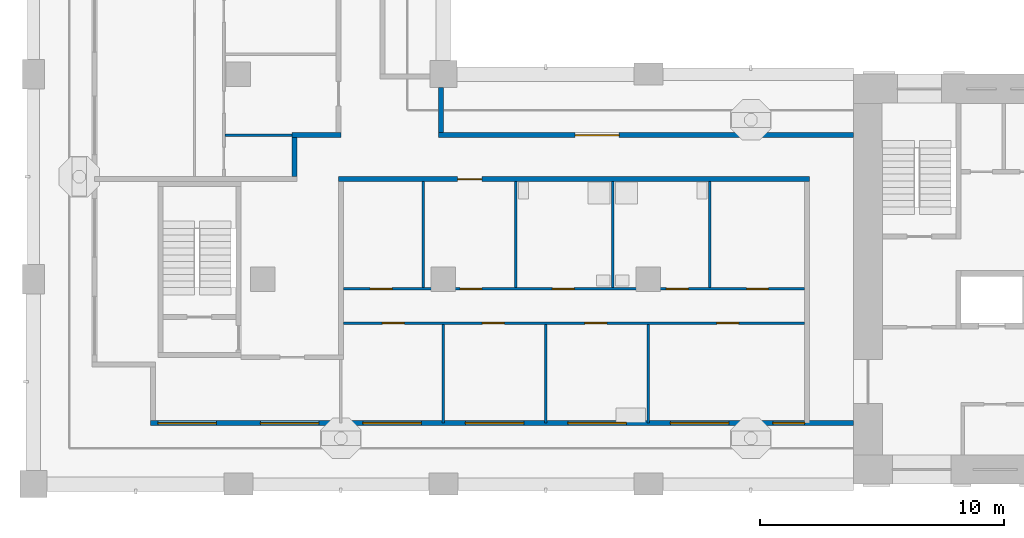
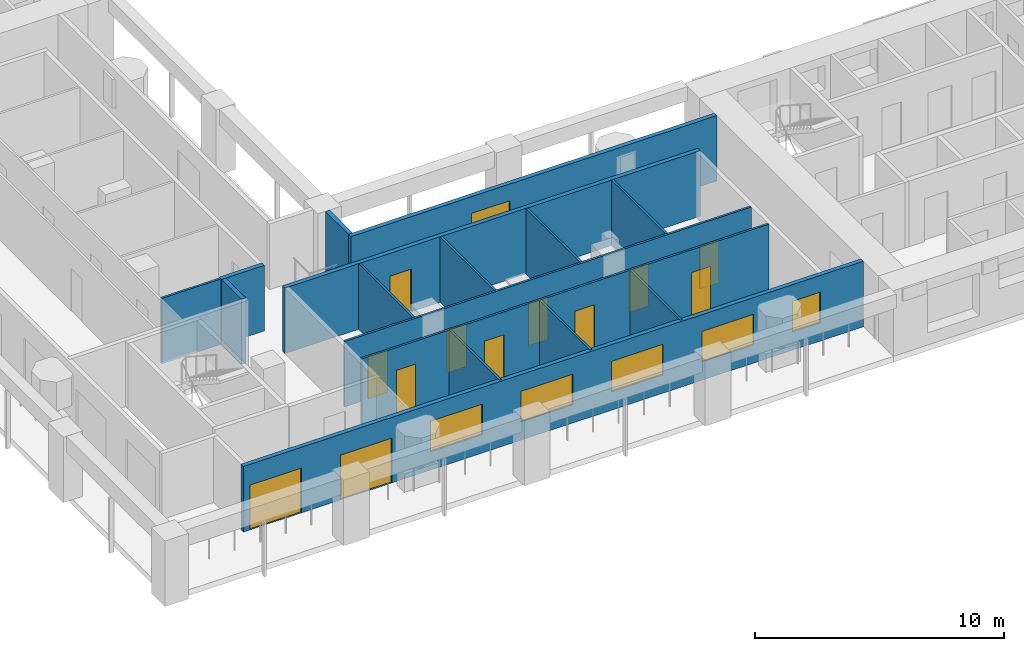
# One storey, part 2 of 13: 16 walls, 13 doors, 5 windows, 18 openings.
"""IFC4 building model written with IfcOpenShell, lengths in metres."""

from ifc_helpers import new_model, si_unit, direction, frame, frame_2d, origin, place, context, subcontext, project, spatial, rectangle, extrude, material, layer, layer_set, type_object, element, fill, save


model = new_model("IFC4")

# Units and contexts
model_context = context("Model", 3, precision=1e-05, world=origin(), true_north=direction((0.0, 1.0)))
body_context = subcontext(model_context, "Body", "Model", "MODEL_VIEW")
ifc_project = project(units=[si_unit("LENGTHUNIT", "METRE"), si_unit("AREAUNIT", "SQUARE_METRE"), si_unit("VOLUMEUNIT", "CUBIC_METRE"), si_unit("PLANEANGLEUNIT", "RADIAN"), si_unit("MASSUNIT", "GRAM", prefix="KILO")], contexts=[model_context])

# Site, building, storey
site_placement = place(None, origin())
site = spatial("IfcSite", under=ifc_project, at=site_placement, CompositionType="ELEMENT")
building_placement = place(site_placement, origin())
building = spatial("IfcBuilding", under=site, at=building_placement, Name="Vermilion Gate Residences", CompositionType="ELEMENT")
storey_placement = place(building_placement, frame((0.0, 0.0, 193.199951171875)))
storey = spatial("IfcBuildingStorey", under=building, at=storey_placement, Name="L50", CompositionType="ELEMENT", Elevation=193.199951171875)

# Wall, openings, doors, windows
ifc_material_1 = material(Name="Insulated steel stud wall with terracotta rainscreen", Category="masonry")
ifc_layer_1 = layer(ifc_material_1, 0.199951171875)
ifc_layer_set_1 = layer_set([ifc_layer_1], Name="EXTERNAL WALL 200 TERRACOTTA RAINSCREEN")
wall_type_1 = type_object("IfcWallType", Name="EXTERNAL WALL 200 TERRACOTTA RAINSCREEN", PredefinedType="SOLIDWALL", material=ifc_layer_set_1)
wall_1_placement = place(storey_placement, frame((13.199951171875, 10.89990234375, 0.0), z_axis=(0.0, 0.0, 1.0), x_axis=(1.0, 0.0, 0.0)))
wall_1 = element("IfcWall", 1, at=wall_1_placement, inside=storey, type_object=wall_type_1, Name="External wall", PredefinedType="SOLIDWALL", context=body_context, shape_type="SweptSolid", body=[
    extrude(rectangle(XDim=28.800048828125, YDim=0.199951171875, at=frame_2d((14.39990234375, 0.0))), origin(), (0.0, 0.0, 1.0), 3.219970703125),
])
opening_1_placement = place(wall_1_placement, frame((0.300048828125, 0.0, 0.0)))
opening_1 = element("IfcOpeningElement", 2, at=opening_1_placement, cuts=wall_1, Name="Opening DE50008", PredefinedType="OPENING", context=body_context, shape_type="SweptSolid", body=[
    extrude(rectangle(XDim=2.39990234375, YDim=2.199951171875, at=frame_2d((1.199951171875, 1.10009765625))), frame((0.0, 0.10986328125, 0.0), z_axis=(0.0, -1.0, 0.0), x_axis=(1.0, 0.0, 0.0)), (0.0, 0.0, 1.0), 0.219970703125),
])
opening_2_placement = place(wall_1_placement, frame((4.5, 0.0, 0.0)))
opening_2 = element("IfcOpeningElement", 3, at=opening_2_placement, cuts=wall_1, Name="Opening DE50009", PredefinedType="OPENING", context=body_context, shape_type="SweptSolid", body=[
    extrude(rectangle(XDim=2.39990234375, YDim=2.199951171875, at=frame_2d((1.199951171875, 1.10009765625))), frame((0.0, 0.10986328125, 0.0), z_axis=(0.0, -1.0, 0.0), x_axis=(1.0, 0.0, 0.0)), (0.0, 0.0, 1.0), 0.219970703125),
])
opening_3_placement = place(wall_1_placement, frame((8.699951171875, 0.0, 0.89990234375)))
opening_3 = element("IfcOpeningElement", 4, at=opening_3_placement, cuts=wall_1, Name="Opening WE50010", PredefinedType="OPENING", context=body_context, shape_type="SweptSolid", body=[
    extrude(rectangle(XDim=2.39990234375, YDim=1.5, at=frame_2d((1.199951171875, 0.75))), frame((0.0, 0.10986328125, 0.0), z_axis=(0.0, -1.0, 0.0), x_axis=(1.0, 0.0, 0.0)), (0.0, 0.0, 1.0), 0.219970703125),
])
opening_4_placement = place(wall_1_placement, frame((12.89990234375, 0.0, 0.89990234375)))
opening_4 = element("IfcOpeningElement", 5, at=opening_4_placement, cuts=wall_1, Name="Opening WE50011", PredefinedType="OPENING", context=body_context, shape_type="SweptSolid", body=[
    extrude(rectangle(XDim=2.39990234375, YDim=1.5, at=frame_2d((1.199951171875, 0.75))), frame((0.0, 0.10986328125, 0.0), z_axis=(0.0, -1.0, 0.0), x_axis=(1.0, 0.0, 0.0)), (0.0, 0.0, 1.0), 0.219970703125),
])
opening_5_placement = place(wall_1_placement, frame((17.10009765625, 0.0, 0.89990234375)))
opening_5 = element("IfcOpeningElement", 6, at=opening_5_placement, cuts=wall_1, Name="Opening WE50012", PredefinedType="OPENING", context=body_context, shape_type="SweptSolid", body=[
    extrude(rectangle(XDim=2.39990234375, YDim=1.5, at=frame_2d((1.199951171875, 0.75))), frame((0.0, 0.10986328125, 0.0), z_axis=(0.0, -1.0, 0.0), x_axis=(1.0, 0.0, 0.0)), (0.0, 0.0, 1.0), 0.219970703125),
])
opening_6_placement = place(wall_1_placement, frame((21.300048828125, 0.0, 0.89990234375)))
opening_6 = element("IfcOpeningElement", 7, at=opening_6_placement, cuts=wall_1, Name="Opening WE50013", PredefinedType="OPENING", context=body_context, shape_type="SweptSolid", body=[
    extrude(rectangle(XDim=2.39990234375, YDim=1.5, at=frame_2d((1.199951171875, 0.75))), frame((0.0, 0.10986328125, 0.0), z_axis=(0.0, -1.0, 0.0), x_axis=(1.0, 0.0, 0.0)), (0.0, 0.0, 1.0), 0.219970703125),
])
opening_7_placement = place(wall_1_placement, frame((25.5, 0.0, 0.89990234375)))
opening_7 = element("IfcOpeningElement", 8, at=opening_7_placement, cuts=wall_1, Name="Opening WE50014", PredefinedType="OPENING", context=body_context, shape_type="SweptSolid", body=[
    extrude(rectangle(XDim=1.300048828125, YDim=1.5, at=frame_2d((0.64990234375, 0.75))), frame((0.0, 0.10986328125, 0.0), z_axis=(0.0, -1.0, 0.0), x_axis=(1.0, 0.0, 0.0)), (0.0, 0.0, 1.0), 0.219970703125),
])
ifc_material_2 = material(Name="Aluminium and clear glass", Category="aluminium")
door_type_1 = type_object("IfcDoorType", Name="SLIDING GLAZED DOOR 2400 X 2200", OperationType="DOUBLE_DOOR_SLIDING", PredefinedType="DOOR", material=ifc_material_2)
door_1_placement = place(opening_1_placement, origin())
door_1 = element("IfcDoor", 9, at=door_1_placement, inside=storey, type_object=door_type_1, Name="Loggia sliding door", OperationType="DOUBLE_DOOR_SLIDING", OverallHeight=2.199951171875, OverallWidth=2.39990234375, PredefinedType="DOOR", context=body_context, shape_type="SweptSolid", body=[
    extrude(rectangle(XDim=2.39990234375, YDim=2.199951171875, at=frame_2d((1.199951171875, 1.10009765625))), frame((0.0, 0.02490234375, 0.0), z_axis=(0.0, -1.0, 0.0), x_axis=(1.0, 0.0, 0.0)), (0.0, 0.0, 1.0), 0.050048828125),
])
fill(opening_1, door_1)
door_2_placement = place(opening_2_placement, origin())
door_2 = element("IfcDoor", 10, at=door_2_placement, inside=storey, type_object=door_type_1, Name="Loggia sliding door", OperationType="DOUBLE_DOOR_SLIDING", OverallHeight=2.199951171875, OverallWidth=2.39990234375, PredefinedType="DOOR", context=body_context, shape_type="SweptSolid", body=[
    extrude(rectangle(XDim=2.39990234375, YDim=2.199951171875, at=frame_2d((1.199951171875, 1.10009765625))), frame((0.0, 0.02490234375, 0.0), z_axis=(0.0, -1.0, 0.0), x_axis=(1.0, 0.0, 0.0)), (0.0, 0.0, 1.0), 0.050048828125),
])
fill(opening_2, door_2)
ifc_material_3 = material(Name="Aluminium and clear glass", Category="aluminium")
window_type_1 = type_object("IfcWindowType", Name="WINDOW 1300 X 1500", PartitioningType="SINGLE_PANEL", PredefinedType="WINDOW", material=ifc_material_3)
window_1_placement = place(opening_7_placement, origin())
window_1 = element("IfcWindow", 11, at=window_1_placement, inside=storey, type_object=window_type_1, Name="Window", OverallHeight=1.5, OverallWidth=1.300048828125, PartitioningType="SINGLE_PANEL", PredefinedType="WINDOW", context=body_context, shape_type="SweptSolid", body=[
    extrude(rectangle(XDim=1.300048828125, YDim=1.5, at=frame_2d((0.64990234375, 0.75))), frame((0.0, 0.030029296875, 0.0), z_axis=(0.0, -1.0, 0.0), x_axis=(1.0, 0.0, 0.0)), (0.0, 0.0, 1.0), 0.06005859375),
])
fill(opening_7, window_1)
ifc_material_4 = material(Name="Aluminium and clear glass", Category="aluminium")
window_type_2 = type_object("IfcWindowType", Name="WINDOW 2400 X 1500", PartitioningType="SINGLE_PANEL", PredefinedType="WINDOW", material=ifc_material_4)
window_2_placement = place(opening_3_placement, origin())
window_2 = element("IfcWindow", 12, at=window_2_placement, inside=storey, type_object=window_type_2, Name="Window", OverallHeight=1.5, OverallWidth=2.39990234375, PartitioningType="SINGLE_PANEL", PredefinedType="WINDOW", context=body_context, shape_type="SweptSolid", body=[
    extrude(rectangle(XDim=2.39990234375, YDim=1.5, at=frame_2d((1.199951171875, 0.75))), frame((0.0, 0.030029296875, 0.0), z_axis=(0.0, -1.0, 0.0), x_axis=(1.0, 0.0, 0.0)), (0.0, 0.0, 1.0), 0.06005859375),
])
fill(opening_3, window_2)
window_3_placement = place(opening_4_placement, origin())
window_3 = element("IfcWindow", 13, at=window_3_placement, inside=storey, type_object=window_type_2, Name="Window", OverallHeight=1.5, OverallWidth=2.39990234375, PartitioningType="SINGLE_PANEL", PredefinedType="WINDOW", context=body_context, shape_type="SweptSolid", body=[
    extrude(rectangle(XDim=2.39990234375, YDim=1.5, at=frame_2d((1.199951171875, 0.75))), frame((0.0, 0.030029296875, 0.0), z_axis=(0.0, -1.0, 0.0), x_axis=(1.0, 0.0, 0.0)), (0.0, 0.0, 1.0), 0.06005859375),
])
fill(opening_4, window_3)
window_4_placement = place(opening_5_placement, origin())
window_4 = element("IfcWindow", 14, at=window_4_placement, inside=storey, type_object=window_type_2, Name="Window", OverallHeight=1.5, OverallWidth=2.39990234375, PartitioningType="SINGLE_PANEL", PredefinedType="WINDOW", context=body_context, shape_type="SweptSolid", body=[
    extrude(rectangle(XDim=2.39990234375, YDim=1.5, at=frame_2d((1.199951171875, 0.75))), frame((0.0, 0.030029296875, 0.0), z_axis=(0.0, -1.0, 0.0), x_axis=(1.0, 0.0, 0.0)), (0.0, 0.0, 1.0), 0.06005859375),
])
fill(opening_5, window_4)
window_5_placement = place(opening_6_placement, origin())
window_5 = element("IfcWindow", 15, at=window_5_placement, inside=storey, type_object=window_type_2, Name="Window", OverallHeight=1.5, OverallWidth=2.39990234375, PartitioningType="SINGLE_PANEL", PredefinedType="WINDOW", context=body_context, shape_type="SweptSolid", body=[
    extrude(rectangle(XDim=2.39990234375, YDim=1.5, at=frame_2d((1.199951171875, 0.75))), frame((0.0, 0.030029296875, 0.0), z_axis=(0.0, -1.0, 0.0), x_axis=(1.0, 0.0, 0.0)), (0.0, 0.0, 1.0), 0.06005859375),
])
fill(opening_6, window_5)

# Wall, opening, door
wall_2_placement = place(storey_placement, frame((42.0, 22.699951171875, 0.0), z_axis=(0.0, 0.0, 1.0), x_axis=(-1.0, 0.0, 0.0)))
wall_2 = element("IfcWall", 16, at=wall_2_placement, inside=storey, type_object=wall_type_1, Name="External wall", PredefinedType="SOLIDWALL", context=body_context, shape_type="SweptSolid", body=[
    extrude(rectangle(XDim=17.0, YDim=0.199951171875, at=frame_2d((8.5, 0.0))), origin(), (0.0, 0.0, 1.0), 3.219970703125),
])
opening_8_placement = place(wall_2_placement, frame((9.60009765625, 0.0, 0.0)))
opening_8 = element("IfcOpeningElement", 17, at=opening_8_placement, cuts=wall_2, Name="Opening DE50020", PredefinedType="OPENING", context=body_context, shape_type="SweptSolid", body=[
    extrude(rectangle(XDim=1.800048828125, YDim=2.39990234375, at=frame_2d((0.89990234375, 1.199951171875))), frame((0.0, 0.10986328125, 0.0), z_axis=(0.0, -1.0, 0.0), x_axis=(1.0, 0.0, 0.0)), (0.0, 0.0, 1.0), 0.219970703125),
])
ifc_material_5 = material(Name="Aluminium and clear glass", Category="aluminium")
door_type_2 = type_object("IfcDoorType", Name="GLAZED EXTERNAL DOOR 1800 X 2400", OperationType="DOUBLE_DOOR_SINGLE_SWING", PredefinedType="DOOR", material=ifc_material_5)
door_3_placement = place(opening_8_placement, frame((1.800048828125, 0.0, 0.0), z_axis=(0.0, 0.0, 1.0), x_axis=(-1.0, 0.0, 0.0)))
door_3 = element("IfcDoor", 18, at=door_3_placement, inside=storey, type_object=door_type_2, Name="Gallery door", OperationType="DOUBLE_DOOR_SINGLE_SWING", OverallHeight=2.39990234375, OverallWidth=1.800048828125, PredefinedType="DOOR", context=body_context, shape_type="SweptSolid", body=[
    extrude(rectangle(XDim=1.800048828125, YDim=2.39990234375, at=frame_2d((0.89990234375, 1.199951171875))), frame((0.0, 0.02490234375, 0.0), z_axis=(0.0, -1.0, 0.0), x_axis=(1.0, 0.0, 0.0)), (0.0, 0.0, 1.0), 0.050048828125),
])
fill(opening_8, door_3)

# Wall
wall_3_placement = place(storey_placement, frame((25.10009765625, 22.800048828125, 0.0), z_axis=(0.0, 0.0, 1.0), x_axis=(0.0, 1.0, 0.0)))
element("IfcWall", 19, at=wall_3_placement, inside=storey, type_object=wall_type_1, Name="External wall", PredefinedType="SOLIDWALL", context=body_context, shape_type="SweptSolid", body=[
    extrude(rectangle(XDim=1.849853515625, YDim=0.199951171875, at=frame_2d((0.9248046875, 0.0))), origin(), (0.0, 0.0, 1.0), 3.219970703125),
])

# Wall, openings, doors
ifc_material_6 = material(Name="Plasterboard on steel studs", Category="steel")
ifc_layer_2 = layer(ifc_material_6, 0.10009765625)
ifc_layer_set_2 = layer_set([ifc_layer_2], Name="PARTITION 100")
wall_type_2 = type_object("IfcWallType", Name="PARTITION 100", PredefinedType="PARTITIONING", material=ifc_layer_set_2)
wall_4_placement = place(storey_placement, frame((21.10009765625, 15.0, 0.0), z_axis=(0.0, 0.0, 1.0), x_axis=(1.0, 0.0, 0.0)))
wall_4 = element("IfcWall", 20, at=wall_4_placement, inside=storey, type_object=wall_type_2, Name="Partition", PredefinedType="PARTITIONING", context=body_context, shape_type="SweptSolid", body=[
    extrude(rectangle(XDim=18.89990234375, YDim=0.10009765625, at=frame_2d((9.449951171875, 0.0))), origin(), (0.0, 0.0, 1.0), 3.219970703125),
])
opening_9_placement = place(wall_4_placement, frame((1.60009765625, 0.0, 0.0)))
opening_9 = element("IfcOpeningElement", 21, at=opening_9_placement, cuts=wall_4, Name="Opening DA49002", PredefinedType="OPENING", context=body_context, shape_type="SweptSolid", body=[
    extrude(rectangle(XDim=0.89990234375, YDim=2.10009765625, at=frame_2d((0.449951171875, 1.050048828125))), frame((0.0, 0.06005859375, 0.0), z_axis=(0.0, -1.0, 0.0), x_axis=(1.0, 0.0, 0.0)), (0.0, 0.0, 1.0), 0.1201171875),
])
opening_10_placement = place(wall_4_placement, frame((5.699951171875, 0.0, 0.0)))
opening_10 = element("IfcOpeningElement", 22, at=opening_10_placement, cuts=wall_4, Name="Opening DA49003", PredefinedType="OPENING", context=body_context, shape_type="SweptSolid", body=[
    extrude(rectangle(XDim=0.89990234375, YDim=2.10009765625, at=frame_2d((0.449951171875, 1.050048828125))), frame((0.0, 0.06005859375, 0.0), z_axis=(0.0, -1.0, 0.0), x_axis=(1.0, 0.0, 0.0)), (0.0, 0.0, 1.0), 0.1201171875),
])
opening_11_placement = place(wall_4_placement, frame((9.89990234375, 0.0, 0.0)))
opening_11 = element("IfcOpeningElement", 23, at=opening_11_placement, cuts=wall_4, Name="Opening DA49004", PredefinedType="OPENING", context=body_context, shape_type="SweptSolid", body=[
    extrude(rectangle(XDim=0.89990234375, YDim=2.10009765625, at=frame_2d((0.449951171875, 1.050048828125))), frame((0.0, 0.06005859375, 0.0), z_axis=(0.0, -1.0, 0.0), x_axis=(1.0, 0.0, 0.0)), (0.0, 0.0, 1.0), 0.1201171875),
])
opening_12_placement = place(wall_4_placement, frame((15.300048828125, 0.0, 0.0)))
opening_12 = element("IfcOpeningElement", 24, at=opening_12_placement, cuts=wall_4, Name="Opening DA49005", PredefinedType="OPENING", context=body_context, shape_type="SweptSolid", body=[
    extrude(rectangle(XDim=0.89990234375, YDim=2.10009765625, at=frame_2d((0.449951171875, 1.050048828125))), frame((0.0, 0.06005859375, 0.0), z_axis=(0.0, -1.0, 0.0), x_axis=(1.0, 0.0, 0.0)), (0.0, 0.0, 1.0), 0.1201171875),
])
ifc_material_7 = material(Name="Timber", Category="wood")
door_type_3 = type_object("IfcDoorType", Name="INTERIOR DOOR 900 X 2100", OperationType="SINGLE_SWING_LEFT", PredefinedType="DOOR", material=ifc_material_7)
door_4_placement = place(opening_9_placement, frame((0.89990234375, 0.0, 0.0), z_axis=(0.0, 0.0, 1.0), x_axis=(-1.0, 0.0, 0.0)))
door_4 = element("IfcDoor", 25, at=door_4_placement, inside=storey, type_object=door_type_3, Name="Interior door", OperationType="SINGLE_SWING_LEFT", OverallHeight=2.10009765625, OverallWidth=0.89990234375, PredefinedType="DOOR", context=body_context, shape_type="SweptSolid", body=[
    extrude(rectangle(XDim=0.89990234375, YDim=2.10009765625, at=frame_2d((0.449951171875, 1.050048828125))), frame((0.0, 0.02490234375, 0.0), z_axis=(0.0, -1.0, 0.0), x_axis=(1.0, 0.0, 0.0)), (0.0, 0.0, 1.0), 0.050048828125),
])
fill(opening_9, door_4)
door_5_placement = place(opening_10_placement, frame((0.89990234375, 0.0, 0.0), z_axis=(0.0, 0.0, 1.0), x_axis=(-1.0, 0.0, 0.0)))
door_5 = element("IfcDoor", 26, at=door_5_placement, inside=storey, type_object=door_type_3, Name="Interior door", OperationType="SINGLE_SWING_RIGHT", OverallHeight=2.10009765625, OverallWidth=0.89990234375, PredefinedType="DOOR", context=body_context, shape_type="SweptSolid", body=[
    extrude(rectangle(XDim=0.89990234375, YDim=2.10009765625, at=frame_2d((0.449951171875, 1.050048828125))), frame((0.0, 0.02490234375, 0.0), z_axis=(0.0, -1.0, 0.0), x_axis=(1.0, 0.0, 0.0)), (0.0, 0.0, 1.0), 0.050048828125),
])
fill(opening_10, door_5)
door_6_placement = place(opening_11_placement, frame((0.89990234375, 0.0, 0.0), z_axis=(0.0, 0.0, 1.0), x_axis=(-1.0, 0.0, 0.0)))
door_6 = element("IfcDoor", 27, at=door_6_placement, inside=storey, type_object=door_type_3, Name="Interior door", OperationType="SINGLE_SWING_RIGHT", OverallHeight=2.10009765625, OverallWidth=0.89990234375, PredefinedType="DOOR", context=body_context, shape_type="SweptSolid", body=[
    extrude(rectangle(XDim=0.89990234375, YDim=2.10009765625, at=frame_2d((0.449951171875, 1.050048828125))), frame((0.0, 0.02490234375, 0.0), z_axis=(0.0, -1.0, 0.0), x_axis=(1.0, 0.0, 0.0)), (0.0, 0.0, 1.0), 0.050048828125),
])
fill(opening_11, door_6)
door_7_placement = place(opening_12_placement, frame((0.89990234375, 0.0, 0.0), z_axis=(0.0, 0.0, 1.0), x_axis=(-1.0, 0.0, 0.0)))
door_7 = element("IfcDoor", 28, at=door_7_placement, inside=storey, type_object=door_type_3, Name="Interior door", OperationType="SINGLE_SWING_LEFT", OverallHeight=2.10009765625, OverallWidth=0.89990234375, PredefinedType="DOOR", context=body_context, shape_type="SweptSolid", body=[
    extrude(rectangle(XDim=0.89990234375, YDim=2.10009765625, at=frame_2d((0.449951171875, 1.050048828125))), frame((0.0, 0.02490234375, 0.0), z_axis=(0.0, -1.0, 0.0), x_axis=(1.0, 0.0, 0.0)), (0.0, 0.0, 1.0), 0.050048828125),
])
fill(opening_12, door_7)

wall_5_placement = place(storey_placement, frame((21.10009765625, 16.39990234375, 0.0), z_axis=(0.0, 0.0, 1.0), x_axis=(1.0, 0.0, 0.0)))
wall_5 = element("IfcWall", 29, at=wall_5_placement, inside=storey, type_object=wall_type_2, Name="Partition", PredefinedType="PARTITIONING", context=body_context, shape_type="SweptSolid", body=[
    extrude(rectangle(XDim=18.89990234375, YDim=0.10009765625, at=frame_2d((9.449951171875, 0.0))), origin(), (0.0, 0.0, 1.0), 3.219970703125),
])
opening_13_placement = place(wall_5_placement, frame((4.780029296875, 0.0, 0.0)))
opening_13 = element("IfcOpeningElement", 30, at=opening_13_placement, cuts=wall_5, Name="Opening DA49006", PredefinedType="OPENING", context=body_context, shape_type="SweptSolid", body=[
    extrude(rectangle(XDim=0.89990234375, YDim=2.10009765625, at=frame_2d((0.449951171875, 1.050048828125))), frame((0.0, 0.06005859375, 0.0), z_axis=(0.0, -1.0, 0.0), x_axis=(1.0, 0.0, 0.0)), (0.0, 0.0, 1.0), 0.1201171875),
])
opening_14_placement = place(wall_5_placement, frame((1.10009765625, 0.0, 0.0)))
opening_14 = element("IfcOpeningElement", 31, at=opening_14_placement, cuts=wall_5, Name="Opening DA49007", PredefinedType="OPENING", context=body_context, shape_type="SweptSolid", body=[
    extrude(rectangle(XDim=0.89990234375, YDim=2.10009765625, at=frame_2d((0.449951171875, 1.050048828125))), frame((0.0, 0.06005859375, 0.0), z_axis=(0.0, -1.0, 0.0), x_axis=(1.0, 0.0, 0.0)), (0.0, 0.0, 1.0), 0.1201171875),
])
opening_15_placement = place(wall_5_placement, frame((8.56005859375, 0.0, 0.0)))
opening_15 = element("IfcOpeningElement", 32, at=opening_15_placement, cuts=wall_5, Name="Opening DA49008", PredefinedType="OPENING", context=body_context, shape_type="SweptSolid", body=[
    extrude(rectangle(XDim=0.89990234375, YDim=2.10009765625, at=frame_2d((0.449951171875, 1.050048828125))), frame((0.0, 0.06005859375, 0.0), z_axis=(0.0, -1.0, 0.0), x_axis=(1.0, 0.0, 0.0)), (0.0, 0.0, 1.0), 0.1201171875),
])
opening_16_placement = place(wall_5_placement, frame((13.239990234375, 0.0, 0.0)))
opening_16 = element("IfcOpeningElement", 33, at=opening_16_placement, cuts=wall_5, Name="Opening DA49009", PredefinedType="OPENING", context=body_context, shape_type="SweptSolid", body=[
    extrude(rectangle(XDim=0.89990234375, YDim=2.10009765625, at=frame_2d((0.449951171875, 1.050048828125))), frame((0.0, 0.06005859375, 0.0), z_axis=(0.0, -1.0, 0.0), x_axis=(1.0, 0.0, 0.0)), (0.0, 0.0, 1.0), 0.1201171875),
])
opening_17_placement = place(wall_5_placement, frame((16.52001953125, 0.0, 0.0)))
opening_17 = element("IfcOpeningElement", 34, at=opening_17_placement, cuts=wall_5, Name="Opening DA49010", PredefinedType="OPENING", context=body_context, shape_type="SweptSolid", body=[
    extrude(rectangle(XDim=0.89990234375, YDim=2.10009765625, at=frame_2d((0.449951171875, 1.050048828125))), frame((0.0, 0.06005859375, 0.0), z_axis=(0.0, -1.0, 0.0), x_axis=(1.0, 0.0, 0.0)), (0.0, 0.0, 1.0), 0.1201171875),
])
door_8_placement = place(opening_13_placement, origin())
door_8 = element("IfcDoor", 35, at=door_8_placement, inside=storey, type_object=door_type_3, Name="Interior door", OperationType="SINGLE_SWING_LEFT", OverallHeight=2.10009765625, OverallWidth=0.89990234375, PredefinedType="DOOR", context=body_context, shape_type="SweptSolid", body=[
    extrude(rectangle(XDim=0.89990234375, YDim=2.10009765625, at=frame_2d((0.449951171875, 1.050048828125))), frame((0.0, 0.02490234375, 0.0), z_axis=(0.0, -1.0, 0.0), x_axis=(1.0, 0.0, 0.0)), (0.0, 0.0, 1.0), 0.050048828125),
])
fill(opening_13, door_8)
door_9_placement = place(opening_14_placement, origin())
door_9 = element("IfcDoor", 36, at=door_9_placement, inside=storey, type_object=door_type_3, Name="Interior door", OperationType="SINGLE_SWING_LEFT", OverallHeight=2.10009765625, OverallWidth=0.89990234375, PredefinedType="DOOR", context=body_context, shape_type="SweptSolid", body=[
    extrude(rectangle(XDim=0.89990234375, YDim=2.10009765625, at=frame_2d((0.449951171875, 1.050048828125))), frame((0.0, 0.02490234375, 0.0), z_axis=(0.0, -1.0, 0.0), x_axis=(1.0, 0.0, 0.0)), (0.0, 0.0, 1.0), 0.050048828125),
])
fill(opening_14, door_9)
door_10_placement = place(opening_15_placement, origin())
door_10 = element("IfcDoor", 37, at=door_10_placement, inside=storey, type_object=door_type_3, Name="Interior door", OperationType="SINGLE_SWING_RIGHT", OverallHeight=2.10009765625, OverallWidth=0.89990234375, PredefinedType="DOOR", context=body_context, shape_type="SweptSolid", body=[
    extrude(rectangle(XDim=0.89990234375, YDim=2.10009765625, at=frame_2d((0.449951171875, 1.050048828125))), frame((0.0, 0.02490234375, 0.0), z_axis=(0.0, -1.0, 0.0), x_axis=(1.0, 0.0, 0.0)), (0.0, 0.0, 1.0), 0.050048828125),
])
fill(opening_15, door_10)
door_11_placement = place(opening_16_placement, origin())
door_11 = element("IfcDoor", 38, at=door_11_placement, inside=storey, type_object=door_type_3, Name="Interior door", OperationType="SINGLE_SWING_LEFT", OverallHeight=2.10009765625, OverallWidth=0.89990234375, PredefinedType="DOOR", context=body_context, shape_type="SweptSolid", body=[
    extrude(rectangle(XDim=0.89990234375, YDim=2.10009765625, at=frame_2d((0.449951171875, 1.050048828125))), frame((0.0, 0.02490234375, 0.0), z_axis=(0.0, -1.0, 0.0), x_axis=(1.0, 0.0, 0.0)), (0.0, 0.0, 1.0), 0.050048828125),
])
fill(opening_16, door_11)
door_12_placement = place(opening_17_placement, origin())
door_12 = element("IfcDoor", 39, at=door_12_placement, inside=storey, type_object=door_type_3, Name="Interior door", OperationType="SINGLE_SWING_LEFT", OverallHeight=2.10009765625, OverallWidth=0.89990234375, PredefinedType="DOOR", context=body_context, shape_type="SweptSolid", body=[
    extrude(rectangle(XDim=0.89990234375, YDim=2.10009765625, at=frame_2d((0.449951171875, 1.050048828125))), frame((0.0, 0.02490234375, 0.0), z_axis=(0.0, -1.0, 0.0), x_axis=(1.0, 0.0, 0.0)), (0.0, 0.0, 1.0), 0.050048828125),
])
fill(opening_17, door_12)

# Walls
wall_6_placement = place(storey_placement, frame((16.25, 22.699951171875, 0.0), z_axis=(0.0, 0.0, 1.0), x_axis=(1.0, 0.0, 0.0)))
element("IfcWall", 40, at=wall_6_placement, inside=storey, type_object=wall_type_2, Name="Partition", PredefinedType="PARTITIONING", context=body_context, shape_type="SweptSolid", body=[
    extrude(rectangle(XDim=2.75, YDim=0.10009765625, at=frame_2d((1.375, 0.0))), origin(), (0.0, 0.0, 1.0), 3.219970703125),
])
wall_7_placement = place(storey_placement, frame((24.3798828125, 16.449951171875, 0.0), z_axis=(0.0, 0.0, 1.0), x_axis=(0.0, 1.0, 0.0)))
element("IfcWall", 41, at=wall_7_placement, inside=storey, type_object=wall_type_2, Name="Partition", PredefinedType="PARTITIONING", context=body_context, shape_type="SweptSolid", body=[
    extrude(rectangle(XDim=4.35009765625, YDim=0.10009765625, at=frame_2d((2.175048828125, 0.0))), origin(), (0.0, 0.0, 1.0), 3.219970703125),
])
wall_8_placement = place(storey_placement, frame((25.199951171875, 10.89990234375, 0.0), z_axis=(0.0, 0.0, 1.0), x_axis=(0.0, 1.0, 0.0)))
element("IfcWall", 42, at=wall_8_placement, inside=storey, type_object=wall_type_2, Name="Partition", PredefinedType="PARTITIONING", context=body_context, shape_type="SweptSolid", body=[
    extrude(rectangle(XDim=4.050048828125, YDim=0.10009765625, at=frame_2d((2.02490234375, 0.0))), origin(), (0.0, 0.0, 1.0), 3.219970703125),
])
wall_9_placement = place(storey_placement, frame((28.159912109375, 16.449951171875, 0.0), z_axis=(0.0, 0.0, 1.0), x_axis=(0.0, 1.0, 0.0)))
element("IfcWall", 43, at=wall_9_placement, inside=storey, type_object=wall_type_2, Name="Partition", PredefinedType="PARTITIONING", context=body_context, shape_type="SweptSolid", body=[
    extrude(rectangle(XDim=4.35009765625, YDim=0.10009765625, at=frame_2d((2.175048828125, 0.0))), origin(), (0.0, 0.0, 1.0), 3.219970703125),
])
wall_10_placement = place(storey_placement, frame((29.39990234375, 10.89990234375, 0.0), z_axis=(0.0, 0.0, 1.0), x_axis=(0.0, 1.0, 0.0)))
element("IfcWall", 44, at=wall_10_placement, inside=storey, type_object=wall_type_2, Name="Partition", PredefinedType="PARTITIONING", context=body_context, shape_type="SweptSolid", body=[
    extrude(rectangle(XDim=4.050048828125, YDim=0.10009765625, at=frame_2d((2.02490234375, 0.0))), origin(), (0.0, 0.0, 1.0), 3.219970703125),
])
wall_11_placement = place(storey_placement, frame((32.139892578125, 16.449951171875, 0.0), z_axis=(0.0, 0.0, 1.0), x_axis=(0.0, 1.0, 0.0)))
element("IfcWall", 45, at=wall_11_placement, inside=storey, type_object=wall_type_2, Name="Partition", PredefinedType="PARTITIONING", context=body_context, shape_type="SweptSolid", body=[
    extrude(rectangle(XDim=4.35009765625, YDim=0.10009765625, at=frame_2d((2.175048828125, 0.0))), origin(), (0.0, 0.0, 1.0), 3.219970703125),
])
wall_12_placement = place(storey_placement, frame((33.60009765625, 10.89990234375, 0.0), z_axis=(0.0, 0.0, 1.0), x_axis=(0.0, 1.0, 0.0)))
element("IfcWall", 46, at=wall_12_placement, inside=storey, type_object=wall_type_2, Name="Partition", PredefinedType="PARTITIONING", context=body_context, shape_type="SweptSolid", body=[
    extrude(rectangle(XDim=4.050048828125, YDim=0.10009765625, at=frame_2d((2.02490234375, 0.0))), origin(), (0.0, 0.0, 1.0), 3.219970703125),
])
wall_13_placement = place(storey_placement, frame((36.1201171875, 16.449951171875, 0.0), z_axis=(0.0, 0.0, 1.0), x_axis=(0.0, 1.0, 0.0)))
element("IfcWall", 47, at=wall_13_placement, inside=storey, type_object=wall_type_2, Name="Partition", PredefinedType="PARTITIONING", context=body_context, shape_type="SweptSolid", body=[
    extrude(rectangle(XDim=4.35009765625, YDim=0.10009765625, at=frame_2d((2.175048828125, 0.0))), origin(), (0.0, 0.0, 1.0), 3.219970703125),
])

# Wall, opening, door
ifc_material_8 = material(Name="Fire-rated plasterboard on steel studs", Category="steel")
ifc_layer_3 = layer(ifc_material_8, 0.199951171875)
ifc_layer_set_3 = layer_set([ifc_layer_3], Name="PARTY WALL 200 EI 120")
wall_type_3 = type_object("IfcWallType", Name="PARTY WALL 200 EI 120", PredefinedType="PARTITIONING", material=ifc_layer_set_3)
wall_14_placement = place(storey_placement, frame((20.89990234375, 20.89990234375, 0.0), z_axis=(0.0, 0.0, 1.0), x_axis=(1.0, 0.0, 0.0)))
wall_14 = element("IfcWall", 48, at=wall_14_placement, inside=storey, type_object=wall_type_3, Name="Party and corridor wall", PredefinedType="PARTITIONING", context=body_context, shape_type="SweptSolid", body=[
    extrude(rectangle(XDim=19.300048828125, YDim=0.199951171875, at=frame_2d((9.64990234375, 0.0))), origin(), (0.0, 0.0, 1.0), 3.219970703125),
])
opening_18_placement = place(wall_14_placement, frame((4.8798828125, 0.0, 0.0)))
opening_18 = element("IfcOpeningElement", 49, at=opening_18_placement, cuts=wall_14, Name="Opening DA49011", PredefinedType="OPENING", context=body_context, shape_type="SweptSolid", body=[
    extrude(rectangle(XDim=1.0, YDim=2.10009765625, at=frame_2d((0.5, 1.050048828125))), frame((0.0, 0.10986328125, 0.0), z_axis=(0.0, -1.0, 0.0), x_axis=(1.0, 0.0, 0.0)), (0.0, 0.0, 1.0), 0.219970703125),
])
ifc_material_9 = material(Name="Steel", Category="steel")
door_type_4 = type_object("IfcDoorType", Name="ENTRANCE DOOR 1000 X 2100 FD30", OperationType="SINGLE_SWING_LEFT", PredefinedType="DOOR", material=ifc_material_9)
door_13_placement = place(opening_18_placement, frame((1.0, 0.0, 0.0), z_axis=(0.0, 0.0, 1.0), x_axis=(-1.0, 0.0, 0.0)))
door_13 = element("IfcDoor", 50, at=door_13_placement, inside=storey, type_object=door_type_4, Name="Entrance door", OperationType="SINGLE_SWING_LEFT", OverallHeight=2.10009765625, OverallWidth=1.0, PredefinedType="DOOR", context=body_context, shape_type="SweptSolid", body=[
    extrude(rectangle(XDim=1.0, YDim=2.10009765625, at=frame_2d((0.5, 1.050048828125))), frame((0.0, 0.02490234375, 0.0), z_axis=(0.0, -1.0, 0.0), x_axis=(1.0, 0.0, 0.0)), (0.0, 0.0, 1.0), 0.050048828125),
])
fill(opening_18, door_13)

# Walls
wall_15_placement = place(storey_placement, frame((19.0, 22.699951171875, 0.0), z_axis=(0.0, 0.0, 1.0), x_axis=(1.0, 0.0, 0.0)))
element("IfcWall", 51, at=wall_15_placement, inside=storey, type_object=wall_type_3, Name="Party and corridor wall", PredefinedType="PARTITIONING", context=body_context, shape_type="SweptSolid", body=[
    extrude(rectangle(XDim=2.0, YDim=0.199951171875, at=frame_2d((1.0, 0.0))), origin(), (0.0, 0.0, 1.0), 3.219970703125),
])
wall_16_placement = place(storey_placement, frame((19.10009765625, 21.0, 0.0), z_axis=(0.0, 0.0, 1.0), x_axis=(0.0, 1.0, 0.0)))
element("IfcWall", 52, at=wall_16_placement, inside=storey, type_object=wall_type_3, Name="Party and corridor wall", PredefinedType="PARTITIONING", context=body_context, shape_type="SweptSolid", body=[
    extrude(rectangle(XDim=1.60009765625, YDim=0.199951171875, at=frame_2d((0.800048828125, 0.0))), origin(), (0.0, 0.0, 1.0), 3.219970703125),
])

save(model, "model.ifc")
